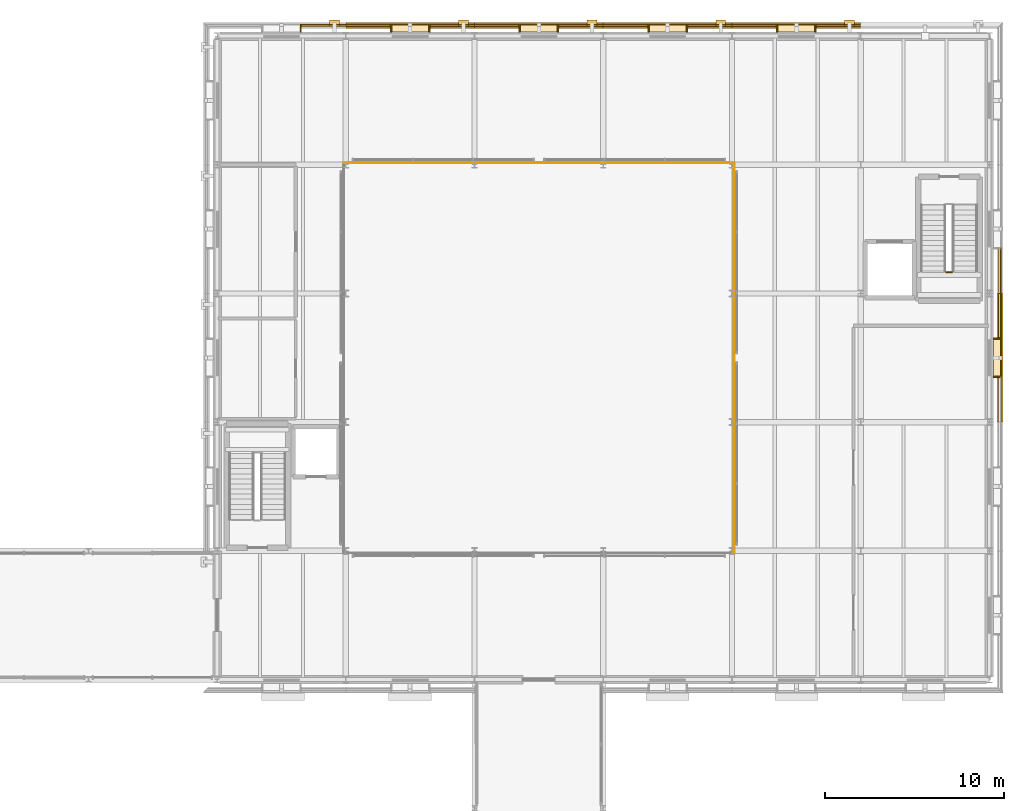
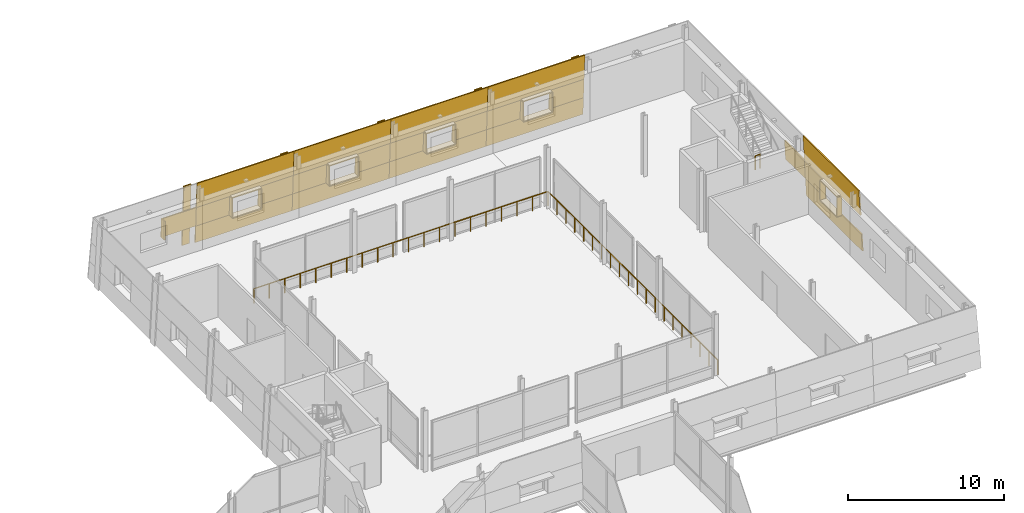
# One storey, part 120 of 121: 47 coverings, 3 railings.
"""IFC4 building model written with IfcOpenShell, lengths in metres."""

from ifc_helpers import new_model, si_unit, direction, frame, origin, origin_2d, place, context, subcontext, project, spatial, polyline, circle, outline, extrude, material, layer, layer_set, type_object, element, save


model = new_model("IFC4")

# Units and contexts
model_context = context("Model", 3, precision=1e-05, world=origin(), true_north=direction((0.0, 1.0)))
body_context = subcontext(model_context, "Body", "Model", "MODEL_VIEW")
ifc_project = project(units=[si_unit("LENGTHUNIT", "METRE"), si_unit("AREAUNIT", "SQUARE_METRE"), si_unit("VOLUMEUNIT", "CUBIC_METRE"), si_unit("PLANEANGLEUNIT", "RADIAN"), si_unit("MASSUNIT", "GRAM", prefix="KILO")], contexts=[model_context])

# Site, building, storey
site_placement = place(None, origin())
site = spatial("IfcSite", under=ifc_project, at=site_placement, CompositionType="ELEMENT")
building_placement = place(site_placement, origin())
building = spatial("IfcBuilding", under=site, at=building_placement, Name="Narikvali Park Central Library", CompositionType="ELEMENT")
storey_placement = place(building_placement, frame((0.0, 0.0, 5.39990234375)))
storey = spatial("IfcBuildingStorey", under=building, at=storey_placement, Name="L01", CompositionType="ELEMENT", Elevation=5.39990234375)

# Railings
ifc_material_1 = material(Name="Laminated Tempered Glass and Stainless Steel", Category="steel")
ifc_layer_1 = layer(ifc_material_1, 0.06005859375, Name="Laminated Tempered Glass and Stainless Steel")
ifc_layer_set_1 = layer_set([ifc_layer_1], Name="Laminated Tempered Glass and Stainless Steel")
railing_type_1 = type_object("IfcRailingType", Name="Atrium Void Tempered Glass Guardrail 1150", PredefinedType="GUARDRAIL", material=ifc_layer_set_1)
railing_1_placement = place(storey_placement, frame((151.320068359375, 86.280029296875, 0.0)))
element("IfcRailing", 1, at=railing_1_placement, inside=storey, type_object=railing_type_1, Name="V3 L01 Void Edge Guardrail E", PredefinedType="GUARDRAIL", context=body_context, shape_type="SweptSolid", body=[
    extrude(circle(Radius=0.02392578125, at=origin_2d()), frame((0.0, 0.0, 1.1259765625), z_axis=(0.0, 1.0, 0.0), x_axis=(-1.0, 0.0, 0.0)), (0.0, 0.0, 1.0), 21.840087890625),
    extrude(circle(Radius=0.02099609375, at=origin_2d()), origin(), (0.0, 0.0, 1.0), 1.101806640625),
    extrude(circle(Radius=0.02099609375, at=origin_2d()), frame((0.0, 1.1494140625, 0.0)), (0.0, 0.0, 1.0), 1.101806640625),
    extrude(circle(Radius=0.02099609375, at=origin_2d()), frame((0.0, 2.299072265625, 0.0)), (0.0, 0.0, 1.0), 1.101806640625),
    extrude(circle(Radius=0.02099609375, at=origin_2d()), frame((0.0, 3.448486328125, 0.0)), (0.0, 0.0, 1.0), 1.101806640625),
    extrude(circle(Radius=0.02099609375, at=origin_2d()), frame((0.0, 4.597900390625, 0.0)), (0.0, 0.0, 1.0), 1.101806640625),
    extrude(circle(Radius=0.02099609375, at=origin_2d()), frame((0.0, 5.747314453125, 0.0)), (0.0, 0.0, 1.0), 1.101806640625),
    extrude(circle(Radius=0.02099609375, at=origin_2d()), frame((0.0, 6.89697265625, 0.0)), (0.0, 0.0, 1.0), 1.101806640625),
    extrude(circle(Radius=0.02099609375, at=origin_2d()), frame((0.0, 8.04638671875, 0.0)), (0.0, 0.0, 1.0), 1.101806640625),
    extrude(circle(Radius=0.02099609375, at=origin_2d()), frame((0.0, 9.19580078125, 0.0)), (0.0, 0.0, 1.0), 1.101806640625),
    extrude(circle(Radius=0.02099609375, at=origin_2d()), frame((0.0, 10.34521484375, 0.0)), (0.0, 0.0, 1.0), 1.101806640625),
    extrude(circle(Radius=0.02099609375, at=origin_2d()), frame((0.0, 11.494873046875, 0.0)), (0.0, 0.0, 1.0), 1.101806640625),
    extrude(circle(Radius=0.02099609375, at=origin_2d()), frame((0.0, 12.644287109375, 0.0)), (0.0, 0.0, 1.0), 1.101806640625),
    extrude(circle(Radius=0.02099609375, at=origin_2d()), frame((0.0, 13.793701171875, 0.0)), (0.0, 0.0, 1.0), 1.101806640625),
    extrude(circle(Radius=0.02099609375, at=origin_2d()), frame((0.0, 14.943115234375, 0.0)), (0.0, 0.0, 1.0), 1.101806640625),
    extrude(circle(Radius=0.02099609375, at=origin_2d()), frame((0.0, 16.0927734375, 0.0)), (0.0, 0.0, 1.0), 1.101806640625),
    extrude(circle(Radius=0.02099609375, at=origin_2d()), frame((0.0, 17.2421875, 0.0)), (0.0, 0.0, 1.0), 1.101806640625),
    extrude(circle(Radius=0.02099609375, at=origin_2d()), frame((0.0, 18.3916015625, 0.0)), (0.0, 0.0, 1.0), 1.101806640625),
    extrude(circle(Radius=0.02099609375, at=origin_2d()), frame((0.0, 19.541015625, 0.0)), (0.0, 0.0, 1.0), 1.101806640625),
    extrude(circle(Radius=0.02099609375, at=origin_2d()), frame((0.0, 20.690673828125, 0.0)), (0.0, 0.0, 1.0), 1.101806640625),
    extrude(circle(Radius=0.02099609375, at=origin_2d()), frame((0.0, 21.840087890625, 0.0)), (0.0, 0.0, 1.0), 1.101806640625),
])
railing_2_placement = place(storey_placement, frame((151.320068359375, 108.1201171875, 0.0)))
element("IfcRailing", 2, at=railing_2_placement, inside=storey, type_object=railing_type_1, Name="V3 L01 Void Edge Guardrail N", PredefinedType="GUARDRAIL", context=body_context, shape_type="SweptSolid", body=[
    extrude(circle(Radius=0.02392578125, at=origin_2d()), frame((0.0, 0.0, 1.1259765625), z_axis=(-1.0, 0.0, 0.0), x_axis=(0.0, -1.0, 0.0)), (0.0, 0.0, 1.0), 21.840087890625),
    extrude(circle(Radius=0.02099609375, at=origin_2d()), origin(), (0.0, 0.0, 1.0), 1.101806640625),
    extrude(circle(Radius=0.02099609375, at=origin_2d()), frame((-1.1494140625, 0.0, 0.0)), (0.0, 0.0, 1.0), 1.101806640625),
    extrude(circle(Radius=0.02099609375, at=origin_2d()), frame((-2.299072265625, 0.0, 0.0)), (0.0, 0.0, 1.0), 1.101806640625),
    extrude(circle(Radius=0.02099609375, at=origin_2d()), frame((-3.448486328125, 0.0, 0.0)), (0.0, 0.0, 1.0), 1.101806640625),
    extrude(circle(Radius=0.02099609375, at=origin_2d()), frame((-4.597900390625, 0.0, 0.0)), (0.0, 0.0, 1.0), 1.101806640625),
    extrude(circle(Radius=0.02099609375, at=origin_2d()), frame((-5.747314453125, 0.0, 0.0)), (0.0, 0.0, 1.0), 1.101806640625),
    extrude(circle(Radius=0.02099609375, at=origin_2d()), frame((-6.89697265625, 0.0, 0.0)), (0.0, 0.0, 1.0), 1.101806640625),
    extrude(circle(Radius=0.02099609375, at=origin_2d()), frame((-8.04638671875, 0.0, 0.0)), (0.0, 0.0, 1.0), 1.101806640625),
    extrude(circle(Radius=0.02099609375, at=origin_2d()), frame((-9.19580078125, 0.0, 0.0)), (0.0, 0.0, 1.0), 1.101806640625),
    extrude(circle(Radius=0.02099609375, at=origin_2d()), frame((-10.34521484375, 0.0, 0.0)), (0.0, 0.0, 1.0), 1.101806640625),
    extrude(circle(Radius=0.02099609375, at=origin_2d()), frame((-11.494873046875, 0.0, 0.0)), (0.0, 0.0, 1.0), 1.101806640625),
    extrude(circle(Radius=0.02099609375, at=origin_2d()), frame((-12.644287109375, 0.0, 0.0)), (0.0, 0.0, 1.0), 1.101806640625),
    extrude(circle(Radius=0.02099609375, at=origin_2d()), frame((-13.793701171875, 0.0, 0.0)), (0.0, 0.0, 1.0), 1.101806640625),
    extrude(circle(Radius=0.02099609375, at=origin_2d()), frame((-14.943115234375, 0.0, 0.0)), (0.0, 0.0, 1.0), 1.101806640625),
    extrude(circle(Radius=0.02099609375, at=origin_2d()), frame((-16.0927734375, 0.0, 0.0)), (0.0, 0.0, 1.0), 1.101806640625),
    extrude(circle(Radius=0.02099609375, at=origin_2d()), frame((-17.2421875, 0.0, 0.0)), (0.0, 0.0, 1.0), 1.101806640625),
    extrude(circle(Radius=0.02099609375, at=origin_2d()), frame((-18.3916015625, 0.0, 0.0)), (0.0, 0.0, 1.0), 1.101806640625),
    extrude(circle(Radius=0.02099609375, at=origin_2d()), frame((-19.541015625, 0.0, 0.0)), (0.0, 0.0, 1.0), 1.101806640625),
    extrude(circle(Radius=0.02099609375, at=origin_2d()), frame((-20.690673828125, 0.0, 0.0)), (0.0, 0.0, 1.0), 1.101806640625),
    extrude(circle(Radius=0.02099609375, at=origin_2d()), frame((-21.840087890625, 0.0, 0.0)), (0.0, 0.0, 1.0), 1.101806640625),
])

# Coverings
ifc_material_2 = material(Name="White Honed Limestone Cladding", Category="masonry")
ifc_layer_2 = layer(ifc_material_2, 0.0849609375, Name="White Honed Limestone Cladding")
ifc_layer_set_2 = layer_set([ifc_layer_2], Name="White Honed Limestone Cladding")
covering_type_1 = type_object("IfcCoveringType", Name="Battered White Limestone Facade Cladding Panel", PredefinedType="CLADDING", material=ifc_layer_set_2)
covering_1_placement = place(storey_placement, frame((166.358642578125, 93.60009765625, 0.0), z_axis=(0.998637216249, 0.0, 0.052189178209), x_axis=(0.0, 1.0, 0.0)))
element("IfcCovering", 3, at=covering_1_placement, inside=storey, type_object=covering_type_1, Name="V3 L01 E Battered Limestone Spandrel B03", PredefinedType="CLADDING", context=body_context, shape_type="SweptSolid", body=[
    extrude(outline(polyline([(0.0, 0.0), (7.199951171875, 0.0), (7.199951171875, 1.3519400581934202), (0.0, 1.3519400581934202), (0.0, 0.0)])), origin(), (0.0, 0.0, -1.0), 0.0849609375),
])
covering_2_placement = place(storey_placement, frame((166.2099609375, 93.60009765625, 2.85009765625), z_axis=(0.998646348793, 0.0, 0.052014133104), x_axis=(0.0, 1.0, 0.0)))
element("IfcCovering", 4, at=covering_2_placement, inside=storey, type_object=covering_type_1, Name="V3 L01 E Battered Limestone Lintel B03", PredefinedType="CLADDING", context=body_context, shape_type="SweptSolid", body=[
    extrude(outline(polyline([(0.0, 0.0), (7.199951171875, 0.0), (7.199951171875, 1.9525943035108282), (0.0, 1.9525943035108282), (0.0, 0.0)])), origin(), (0.0, 0.0, -1.0), 0.0849609375),
])
for number, where, z_axis, x_axis, name in (
    (5, (166.2880859375, 98.239990234375, 1.35009765625), (0.998646416446, 0.0, 0.05201283419), (0.0, 1.0, 0.0), "V3 L01 E Battered Limestone Jamb Pier R B03"),
    (6, (166.2880859375, 100.800048828125, 1.35009765625), (0.998646416446, 0.0, 0.05201283419), (0.0, 1.0, 0.0), "V3 L01 E Battered Limestone Jamb Pier L B04"),
):
    element("IfcCovering", number, at=place(storey_placement, frame(where, z_axis=z_axis, x_axis=x_axis)), inside=storey, type_object=covering_type_1, Name=name, PredefinedType="CLADDING", context=body_context, shape_type="SweptSolid", body=[
        extrude(outline(polyline([(0.0, 0.0), (2.56005859375, 0.0), (2.56005859375, 1.5020331273394072), (0.0, 1.5020331273394072), (0.0, 0.0)])), origin(), (0.0, 0.0, -1.0), 0.0849609375),
    ])
covering_3_placement = place(storey_placement, frame((158.050048828125, 116.0986328125, 0.0), z_axis=(0.0, 0.998643804351, 0.052062962182), x_axis=(-1.0, 0.0, 0.0)))
element("IfcCovering", 7, at=covering_3_placement, inside=storey, type_object=covering_type_1, Name="V3 L01 N Classical Limestone Pilaster B02", PredefinedType="CLADDING", context=body_context, shape_type="SweptSolid", body=[
    extrude(outline(polyline([(0.0, 0.0), (0.550048828125, 0.0), (0.550048828125, 4.80656747401941), (0.0, 4.80656747401941), (0.0, 0.0)])), origin(), (0.0, 0.0, -1.0), 0.0849609375),
])
covering_4_placement = place(storey_placement, frame((158.39990234375, 115.95849609375, 0.0), z_axis=(0.0, 0.998646611858, 0.052009082137), x_axis=(-1.0, 0.0, 0.0)))
element("IfcCovering", 8, at=covering_4_placement, inside=storey, type_object=covering_type_1, Name="V3 L01 N Battered Limestone Spandrel B02", PredefinedType="CLADDING", context=body_context, shape_type="SweptSolid", body=[
    extrude(outline(polyline([(0.0, 0.0), (7.199951171875, 0.0), (7.199951171875, 1.3519273386791144), (0.0, 1.3519273386791144), (0.0, 0.0)])), origin(), (0.0, 0.0, -1.0), 0.0849609375),
])
covering_5_placement = place(storey_placement, frame((158.39990234375, 115.81005859375, 2.85009765625), z_axis=(0.0, 0.998646348793, 0.052014133104), x_axis=(-1.0, 0.0, 0.0)))
element("IfcCovering", 9, at=covering_5_placement, inside=storey, type_object=covering_type_1, Name="V3 L01 N Battered Limestone Lintel B02", PredefinedType="CLADDING", context=body_context, shape_type="SweptSolid", body=[
    extrude(outline(polyline([(0.0, 0.0), (7.199951171875, 0.0), (7.199951171875, 1.9525943035108282), (0.0, 1.9525943035108282), (0.0, 0.0)])), origin(), (0.0, 0.0, -1.0), 0.0849609375),
])
covering_6_placement = place(storey_placement, frame((158.39990234375, 115.88818359375, 1.35009765625), z_axis=(0.0, 0.998646416446, 0.05201283419), x_axis=(-1.0, 0.0, 0.0)))
element("IfcCovering", 10, at=covering_6_placement, inside=storey, type_object=covering_type_1, Name="V3 L01 N Battered Limestone Jamb Pier L B02", PredefinedType="CLADDING", context=body_context, shape_type="SweptSolid", body=[
    extrude(outline(polyline([(0.0, 0.0), (2.559814453125, 0.0), (2.559814453125, 1.5020331273394074), (0.0, 1.5020331273394074), (0.0, 0.0)])), origin(), (0.0, 0.0, -1.0), 0.0849609375),
])
covering_7_placement = place(storey_placement, frame((153.760009765625, 115.88818359375, 1.35009765625), z_axis=(0.0, 0.998646416446, 0.05201283419), x_axis=(-1.0, 0.0, 0.0)))
element("IfcCovering", 11, at=covering_7_placement, inside=storey, type_object=covering_type_1, Name="V3 L01 N Battered Limestone Jamb Pier R B02", PredefinedType="CLADDING", context=body_context, shape_type="SweptSolid", body=[
    extrude(outline(polyline([(0.0, 0.0), (2.56005859375, 0.0), (2.56005859375, 1.5020331273394072), (0.0, 1.5020331273394072), (0.0, 0.0)])), origin(), (0.0, 0.0, -1.0), 0.0849609375),
])
covering_8_placement = place(storey_placement, frame((150.85009765625, 116.0986328125, 0.0), z_axis=(0.0, 0.998643804351, 0.052062962182), x_axis=(-1.0, 0.0, 0.0)))
element("IfcCovering", 12, at=covering_8_placement, inside=storey, type_object=covering_type_1, Name="V3 L01 N Classical Limestone Pilaster B03", PredefinedType="CLADDING", context=body_context, shape_type="SweptSolid", body=[
    extrude(outline(polyline([(0.0, 0.0), (0.550048828125, 0.0), (0.550048828125, 4.80656747401941), (0.0, 4.80656747401941), (0.0, 0.0)])), origin(), (0.0, 0.0, -1.0), 0.0849609375),
])
covering_9_placement = place(storey_placement, frame((151.199951171875, 115.95849609375, 0.0), z_axis=(0.0, 0.998646611858, 0.052009082137), x_axis=(-1.0, 0.0, 0.0)))
element("IfcCovering", 13, at=covering_9_placement, inside=storey, type_object=covering_type_1, Name="V3 L01 N Battered Limestone Spandrel B03", PredefinedType="CLADDING", context=body_context, shape_type="SweptSolid", body=[
    extrude(outline(polyline([(0.0, 0.0), (7.199951171875, 0.0), (7.199951171875, 1.3519273386791144), (0.0, 1.3519273386791144), (0.0, 0.0)])), origin(), (0.0, 0.0, -1.0), 0.0849609375),
])
covering_10_placement = place(storey_placement, frame((151.199951171875, 115.81005859375, 2.85009765625), z_axis=(0.0, 0.998646348793, 0.052014133104), x_axis=(-1.0, 0.0, 0.0)))
element("IfcCovering", 14, at=covering_10_placement, inside=storey, type_object=covering_type_1, Name="V3 L01 N Battered Limestone Lintel B03", PredefinedType="CLADDING", context=body_context, shape_type="SweptSolid", body=[
    extrude(outline(polyline([(0.0, 0.0), (7.199951171875, 0.0), (7.199951171875, 1.9525943035108282), (0.0, 1.9525943035108282), (0.0, 0.0)])), origin(), (0.0, 0.0, -1.0), 0.0849609375),
])
for number, where, z_axis, x_axis, name in (
    (15, (151.199951171875, 115.88818359375, 1.35009765625), (0.0, 0.998646416446, 0.05201283419), (-1.0, 0.0, 0.0), "V3 L01 N Battered Limestone Jamb Pier L B03"),
    (16, (146.56005859375, 115.88818359375, 1.35009765625), (0.0, 0.998646416446, 0.05201283419), (-1.0, 0.0, 0.0), "V3 L01 N Battered Limestone Jamb Pier R B03"),
):
    element("IfcCovering", number, at=place(storey_placement, frame(where, z_axis=z_axis, x_axis=x_axis)), inside=storey, type_object=covering_type_1, Name=name, PredefinedType="CLADDING", context=body_context, shape_type="SweptSolid", body=[
        extrude(outline(polyline([(0.0, 0.0), (2.56005859375, 0.0), (2.56005859375, 1.5020331273394072), (0.0, 1.5020331273394072), (0.0, 0.0)])), origin(), (0.0, 0.0, -1.0), 0.0849609375),
    ])
covering_11_placement = place(storey_placement, frame((143.64990234375, 116.0986328125, 0.0), z_axis=(0.0, 0.998643804351, 0.052062962182), x_axis=(-1.0, 0.0, 0.0)))
element("IfcCovering", 17, at=covering_11_placement, inside=storey, type_object=covering_type_1, Name="V3 L01 N Classical Limestone Pilaster B04", PredefinedType="CLADDING", context=body_context, shape_type="SweptSolid", body=[
    extrude(outline(polyline([(0.0, 0.0), (0.5498046875, 0.0), (0.5498046875, 4.806567474019411), (0.0, 4.806567474019411), (0.0, 0.0)])), origin(), (0.0, 0.0, -1.0), 0.0849609375),
])
covering_12_placement = place(storey_placement, frame((144.0, 115.95849609375, 0.0), z_axis=(0.0, 0.998646611858, 0.052009082137), x_axis=(-1.0, 0.0, 0.0)))
element("IfcCovering", 18, at=covering_12_placement, inside=storey, type_object=covering_type_1, Name="V3 L01 N Battered Limestone Spandrel B04", PredefinedType="CLADDING", context=body_context, shape_type="SweptSolid", body=[
    extrude(outline(polyline([(0.0, 0.0), (7.199951171875, 0.0), (7.199951171875, 1.3519273386791144), (0.0, 1.3519273386791144), (0.0, 0.0)])), origin(), (0.0, 0.0, -1.0), 0.0849609375),
])
covering_13_placement = place(storey_placement, frame((144.0, 115.81005859375, 2.85009765625), z_axis=(0.0, 0.998646348793, 0.052014133104), x_axis=(-1.0, 0.0, 0.0)))
element("IfcCovering", 19, at=covering_13_placement, inside=storey, type_object=covering_type_1, Name="V3 L01 N Battered Limestone Lintel B04", PredefinedType="CLADDING", context=body_context, shape_type="SweptSolid", body=[
    extrude(outline(polyline([(0.0, 0.0), (7.199951171875, 0.0), (7.199951171875, 1.9525943035108282), (0.0, 1.9525943035108282), (0.0, 0.0)])), origin(), (0.0, 0.0, -1.0), 0.0849609375),
])
for number, where, z_axis, x_axis, name in (
    (20, (144.0, 115.88818359375, 1.35009765625), (0.0, 0.998646416446, 0.05201283419), (-1.0, 0.0, 0.0), "V3 L01 N Battered Limestone Jamb Pier L B04"),
    (21, (139.360107421875, 115.88818359375, 1.35009765625), (0.0, 0.998646416446, 0.05201283419), (-1.0, 0.0, 0.0), "V3 L01 N Battered Limestone Jamb Pier R B04"),
):
    element("IfcCovering", number, at=place(storey_placement, frame(where, z_axis=z_axis, x_axis=x_axis)), inside=storey, type_object=covering_type_1, Name=name, PredefinedType="CLADDING", context=body_context, shape_type="SweptSolid", body=[
        extrude(outline(polyline([(0.0, 0.0), (2.56005859375, 0.0), (2.56005859375, 1.5020331273394072), (0.0, 1.5020331273394072), (0.0, 0.0)])), origin(), (0.0, 0.0, -1.0), 0.0849609375),
    ])
covering_14_placement = place(storey_placement, frame((136.449951171875, 116.0986328125, 0.0), z_axis=(0.0, 0.998643804351, 0.052062962182), x_axis=(-1.0, 0.0, 0.0)))
element("IfcCovering", 22, at=covering_14_placement, inside=storey, type_object=covering_type_1, Name="V3 L01 N Classical Limestone Pilaster B05", PredefinedType="CLADDING", context=body_context, shape_type="SweptSolid", body=[
    extrude(outline(polyline([(0.0, 0.0), (0.550048828125, 0.0), (0.550048828125, 4.80656747401941), (0.0, 4.80656747401941), (0.0, 0.0)])), origin(), (0.0, 0.0, -1.0), 0.0849609375),
])
covering_15_placement = place(storey_placement, frame((136.800048828125, 115.95849609375, 0.0), z_axis=(0.0, 0.998646611858, 0.052009082137), x_axis=(-1.0, 0.0, 0.0)))
element("IfcCovering", 23, at=covering_15_placement, inside=storey, type_object=covering_type_1, Name="V3 L01 N Battered Limestone Spandrel B05", PredefinedType="CLADDING", context=body_context, shape_type="SweptSolid", body=[
    extrude(outline(polyline([(0.0, 0.0), (7.199951171875, 0.0), (7.199951171875, 1.3519273386791144), (0.0, 1.3519273386791144), (0.0, 0.0)])), origin(), (0.0, 0.0, -1.0), 0.0849609375),
])
covering_16_placement = place(storey_placement, frame((136.800048828125, 115.81005859375, 2.85009765625), z_axis=(0.0, 0.998646348793, 0.052014133104), x_axis=(-1.0, 0.0, 0.0)))
element("IfcCovering", 24, at=covering_16_placement, inside=storey, type_object=covering_type_1, Name="V3 L01 N Battered Limestone Lintel B05", PredefinedType="CLADDING", context=body_context, shape_type="SweptSolid", body=[
    extrude(outline(polyline([(0.0, 0.0), (7.199951171875, 0.0), (7.199951171875, 1.9525943035108282), (0.0, 1.9525943035108282), (0.0, 0.0)])), origin(), (0.0, 0.0, -1.0), 0.0849609375),
])
covering_17_placement = place(storey_placement, frame((136.800048828125, 115.88818359375, 1.35009765625), z_axis=(0.0, 0.998646416446, 0.05201283419), x_axis=(-1.0, 0.0, 0.0)))
element("IfcCovering", 25, at=covering_17_placement, inside=storey, type_object=covering_type_1, Name="V3 L01 N Battered Limestone Jamb Pier L B05", PredefinedType="CLADDING", context=body_context, shape_type="SweptSolid", body=[
    extrude(outline(polyline([(0.0, 0.0), (2.56005859375, 0.0), (2.56005859375, 1.5020331273394072), (0.0, 1.5020331273394072), (0.0, 0.0)])), origin(), (0.0, 0.0, -1.0), 0.0849609375),
])
covering_18_placement = place(storey_placement, frame((132.159912109375, 115.88818359375, 1.35009765625), z_axis=(0.0, 0.998646416446, 0.05201283419), x_axis=(-1.0, 0.0, 0.0)))
element("IfcCovering", 26, at=covering_18_placement, inside=storey, type_object=covering_type_1, Name="V3 L01 N Battered Limestone Jamb Pier R B05", PredefinedType="CLADDING", context=body_context, shape_type="SweptSolid", body=[
    extrude(outline(polyline([(0.0, 0.0), (2.559814453125, 0.0), (2.559814453125, 1.5020331273394074), (0.0, 1.5020331273394074), (0.0, 0.0)])), origin(), (0.0, 0.0, -1.0), 0.0849609375),
])
covering_19_placement = place(storey_placement, frame((129.25, 116.0986328125, 0.0), z_axis=(0.0, 0.998643804351, 0.052062962182), x_axis=(-1.0, 0.0, 0.0)))
element("IfcCovering", 27, at=covering_19_placement, inside=storey, type_object=covering_type_1, Name="V3 L01 N Classical Limestone Pilaster B06", PredefinedType="CLADDING", context=body_context, shape_type="SweptSolid", body=[
    extrude(outline(polyline([(0.0, 0.0), (0.550048828125, 0.0), (0.550048828125, 4.80656747401941), (0.0, 4.80656747401941), (0.0, 0.0)])), origin(), (0.0, 0.0, -1.0), 0.0849609375),
])
covering_20_placement = place(storey_placement, frame((129.60009765625, 115.88818359375, 1.35009765625), z_axis=(0.0, 0.998646416446, 0.05201283419), x_axis=(-1.0, 0.0, 0.0)))
element("IfcCovering", 28, at=covering_20_placement, inside=storey, type_object=covering_type_1, Name="V3 L01 N Battered Limestone Jamb Pier L B06", PredefinedType="CLADDING", context=body_context, shape_type="SweptSolid", body=[
    extrude(outline(polyline([(0.0, 0.0), (2.56005859375, 0.0), (2.56005859375, 1.5020331273394072), (0.0, 1.5020331273394072), (0.0, 0.0)])), origin(), (0.0, 0.0, -1.0), 0.0849609375),
])
ifc_layer_3 = layer(ifc_material_2, 0.080078125, Name="White Honed Limestone Cladding")
ifc_layer_set_3 = layer_set([ifc_layer_3], Name="White Honed Limestone Cladding")
covering_type_2 = type_object("IfcCoveringType", Name="Deep Carved White Limestone Window Reveal", PredefinedType="CLADDING", material=ifc_layer_set_3)
covering_21_placement = place(storey_placement, frame((0.0, 0.0, 2.85009765625)))
element("IfcCovering", 29, at=covering_21_placement, inside=storey, type_object=covering_type_2, Name="Deep Stone Reveal Head V3-RVL-L01-E-B03", PredefinedType="CLADDING", context=body_context, shape_type="SweptSolid", body=[
    extrude(outline(polyline([(165.824951171875, 96.1201171875), (165.824951171875, 98.280029296875), (166.2099609375, 98.280029296875), (166.2099609375, 96.1201171875), (165.824951171875, 96.1201171875)])), origin(), (0.0, 0.0, 1.0), 0.080078125),
])
covering_22_placement = place(storey_placement, frame((0.0, 0.0, 1.27001953125)))
element("IfcCovering", 30, at=covering_22_placement, inside=storey, type_object=covering_type_2, Name="Deep Stone Reveal Sill V3-RVL-L01-E-B03", PredefinedType="CLADDING", context=body_context, shape_type="SweptSolid", body=[
    extrude(outline(polyline([(165.824951171875, 96.1201171875), (165.824951171875, 98.280029296875), (166.2880859375, 98.280029296875), (166.2880859375, 96.1201171875), (165.824951171875, 96.1201171875)])), origin(), (0.0, 0.0, 1.0), 0.080078125),
])
covering_23_placement = place(storey_placement, frame((0.0, 0.0, 1.35009765625)))
element("IfcCovering", 31, at=covering_23_placement, inside=storey, type_object=covering_type_2, Name="Deep Stone Reveal Jamb L V3-RVL-L01-E-B03", PredefinedType="CLADDING", context=body_context, shape_type="SweptSolid", body=[
    extrude(outline(polyline([(165.824951171875, 96.080078125), (165.824951171875, 96.159912109375), (166.2099609375, 96.159912109375), (166.2099609375, 96.080078125), (165.824951171875, 96.080078125)])), origin(), (0.0, 0.0, 1.0), 1.5),
])
covering_24_placement = place(storey_placement, frame((0.0, 0.0, 1.35009765625)))
element("IfcCovering", 32, at=covering_24_placement, inside=storey, type_object=covering_type_2, Name="Deep Stone Reveal Jamb R V3-RVL-L01-E-B03", PredefinedType="CLADDING", context=body_context, shape_type="SweptSolid", body=[
    extrude(outline(polyline([(165.824951171875, 98.239990234375), (165.824951171875, 98.320068359375), (166.2099609375, 98.320068359375), (166.2099609375, 98.239990234375), (165.824951171875, 98.239990234375)])), origin(), (0.0, 0.0, 1.0), 1.5),
])
covering_25_placement = place(storey_placement, frame((0.0, 0.0, 2.85009765625)))
element("IfcCovering", 33, at=covering_25_placement, inside=storey, type_object=covering_type_2, Name="Deep Stone Reveal Head V3-RVL-L01-N-B02", PredefinedType="CLADDING", context=body_context, shape_type="SweptSolid", body=[
    extrude(outline(polyline([(155.8798828125, 115.425048828125), (153.719970703125, 115.425048828125), (153.719970703125, 115.81005859375), (155.8798828125, 115.81005859375), (155.8798828125, 115.425048828125)])), origin(), (0.0, 0.0, 1.0), 0.080078125),
])
covering_26_placement = place(storey_placement, frame((0.0, 0.0, 1.27001953125)))
element("IfcCovering", 34, at=covering_26_placement, inside=storey, type_object=covering_type_2, Name="Deep Stone Reveal Sill V3-RVL-L01-N-B02", PredefinedType="CLADDING", context=body_context, shape_type="SweptSolid", body=[
    extrude(outline(polyline([(155.8798828125, 115.425048828125), (153.719970703125, 115.425048828125), (153.719970703125, 115.88818359375), (155.8798828125, 115.88818359375), (155.8798828125, 115.425048828125)])), origin(), (0.0, 0.0, 1.0), 0.080078125),
])
covering_27_placement = place(storey_placement, frame((0.0, 0.0, 1.35009765625)))
element("IfcCovering", 35, at=covering_27_placement, inside=storey, type_object=covering_type_2, Name="Deep Stone Reveal Jamb L V3-RVL-L01-N-B02", PredefinedType="CLADDING", context=body_context, shape_type="SweptSolid", body=[
    extrude(outline(polyline([(155.919921875, 115.425048828125), (155.840087890625, 115.425048828125), (155.840087890625, 115.81005859375), (155.919921875, 115.81005859375), (155.919921875, 115.425048828125)])), origin(), (0.0, 0.0, 1.0), 1.5),
])
covering_28_placement = place(storey_placement, frame((0.0, 0.0, 1.35009765625)))
element("IfcCovering", 36, at=covering_28_placement, inside=storey, type_object=covering_type_2, Name="Deep Stone Reveal Jamb R V3-RVL-L01-N-B02", PredefinedType="CLADDING", context=body_context, shape_type="SweptSolid", body=[
    extrude(outline(polyline([(153.760009765625, 115.425048828125), (153.679931640625, 115.425048828125), (153.679931640625, 115.81005859375), (153.760009765625, 115.81005859375), (153.760009765625, 115.425048828125)])), origin(), (0.0, 0.0, 1.0), 1.5),
])
covering_29_placement = place(storey_placement, frame((0.0, 0.0, 2.85009765625)))
element("IfcCovering", 37, at=covering_29_placement, inside=storey, type_object=covering_type_2, Name="Deep Stone Reveal Head V3-RVL-L01-N-B03", PredefinedType="CLADDING", context=body_context, shape_type="SweptSolid", body=[
    extrude(outline(polyline([(148.679931640625, 115.425048828125), (146.52001953125, 115.425048828125), (146.52001953125, 115.81005859375), (148.679931640625, 115.81005859375), (148.679931640625, 115.425048828125)])), origin(), (0.0, 0.0, 1.0), 0.080078125),
])
covering_30_placement = place(storey_placement, frame((0.0, 0.0, 1.27001953125)))
element("IfcCovering", 38, at=covering_30_placement, inside=storey, type_object=covering_type_2, Name="Deep Stone Reveal Sill V3-RVL-L01-N-B03", PredefinedType="CLADDING", context=body_context, shape_type="SweptSolid", body=[
    extrude(outline(polyline([(148.679931640625, 115.425048828125), (146.52001953125, 115.425048828125), (146.52001953125, 115.88818359375), (148.679931640625, 115.88818359375), (148.679931640625, 115.425048828125)])), origin(), (0.0, 0.0, 1.0), 0.080078125),
])
covering_31_placement = place(storey_placement, frame((0.0, 0.0, 1.35009765625)))
element("IfcCovering", 39, at=covering_31_placement, inside=storey, type_object=covering_type_2, Name="Deep Stone Reveal Jamb L V3-RVL-L01-N-B03", PredefinedType="CLADDING", context=body_context, shape_type="SweptSolid", body=[
    extrude(outline(polyline([(148.719970703125, 115.425048828125), (148.639892578125, 115.425048828125), (148.639892578125, 115.81005859375), (148.719970703125, 115.81005859375), (148.719970703125, 115.425048828125)])), origin(), (0.0, 0.0, 1.0), 1.5),
])
covering_32_placement = place(storey_placement, frame((0.0, 0.0, 1.35009765625)))
element("IfcCovering", 40, at=covering_32_placement, inside=storey, type_object=covering_type_2, Name="Deep Stone Reveal Jamb R V3-RVL-L01-N-B03", PredefinedType="CLADDING", context=body_context, shape_type="SweptSolid", body=[
    extrude(outline(polyline([(146.56005859375, 115.425048828125), (146.47998046875, 115.425048828125), (146.47998046875, 115.81005859375), (146.56005859375, 115.81005859375), (146.56005859375, 115.425048828125)])), origin(), (0.0, 0.0, 1.0), 1.5),
])
covering_33_placement = place(storey_placement, frame((0.0, 0.0, 2.85009765625)))
element("IfcCovering", 41, at=covering_33_placement, inside=storey, type_object=covering_type_2, Name="Deep Stone Reveal Head V3-RVL-L01-N-B04", PredefinedType="CLADDING", context=body_context, shape_type="SweptSolid", body=[
    extrude(outline(polyline([(141.47998046875, 115.425048828125), (139.320068359375, 115.425048828125), (139.320068359375, 115.81005859375), (141.47998046875, 115.81005859375), (141.47998046875, 115.425048828125)])), origin(), (0.0, 0.0, 1.0), 0.080078125),
])
covering_34_placement = place(storey_placement, frame((0.0, 0.0, 1.27001953125)))
element("IfcCovering", 42, at=covering_34_placement, inside=storey, type_object=covering_type_2, Name="Deep Stone Reveal Sill V3-RVL-L01-N-B04", PredefinedType="CLADDING", context=body_context, shape_type="SweptSolid", body=[
    extrude(outline(polyline([(141.47998046875, 115.425048828125), (139.320068359375, 115.425048828125), (139.320068359375, 115.88818359375), (141.47998046875, 115.88818359375), (141.47998046875, 115.425048828125)])), origin(), (0.0, 0.0, 1.0), 0.080078125),
])
covering_35_placement = place(storey_placement, frame((0.0, 0.0, 1.35009765625)))
element("IfcCovering", 43, at=covering_35_placement, inside=storey, type_object=covering_type_2, Name="Deep Stone Reveal Jamb L V3-RVL-L01-N-B04", PredefinedType="CLADDING", context=body_context, shape_type="SweptSolid", body=[
    extrude(outline(polyline([(141.52001953125, 115.425048828125), (141.43994140625, 115.425048828125), (141.43994140625, 115.81005859375), (141.52001953125, 115.81005859375), (141.52001953125, 115.425048828125)])), origin(), (0.0, 0.0, 1.0), 1.5),
])
covering_36_placement = place(storey_placement, frame((0.0, 0.0, 1.35009765625)))
element("IfcCovering", 44, at=covering_36_placement, inside=storey, type_object=covering_type_2, Name="Deep Stone Reveal Jamb R V3-RVL-L01-N-B04", PredefinedType="CLADDING", context=body_context, shape_type="SweptSolid", body=[
    extrude(outline(polyline([(139.360107421875, 115.425048828125), (139.280029296875, 115.425048828125), (139.280029296875, 115.81005859375), (139.360107421875, 115.81005859375), (139.360107421875, 115.425048828125)])), origin(), (0.0, 0.0, 1.0), 1.5),
])
covering_37_placement = place(storey_placement, frame((0.0, 0.0, 2.85009765625)))
element("IfcCovering", 45, at=covering_37_placement, inside=storey, type_object=covering_type_2, Name="Deep Stone Reveal Head V3-RVL-L01-N-B05", PredefinedType="CLADDING", context=body_context, shape_type="SweptSolid", body=[
    extrude(outline(polyline([(134.280029296875, 115.425048828125), (132.1201171875, 115.425048828125), (132.1201171875, 115.81005859375), (134.280029296875, 115.81005859375), (134.280029296875, 115.425048828125)])), origin(), (0.0, 0.0, 1.0), 0.080078125),
])
covering_38_placement = place(storey_placement, frame((0.0, 0.0, 1.27001953125)))
element("IfcCovering", 46, at=covering_38_placement, inside=storey, type_object=covering_type_2, Name="Deep Stone Reveal Sill V3-RVL-L01-N-B05", PredefinedType="CLADDING", context=body_context, shape_type="SweptSolid", body=[
    extrude(outline(polyline([(134.280029296875, 115.425048828125), (132.1201171875, 115.425048828125), (132.1201171875, 115.88818359375), (134.280029296875, 115.88818359375), (134.280029296875, 115.425048828125)])), origin(), (0.0, 0.0, 1.0), 0.080078125),
])
covering_39_placement = place(storey_placement, frame((0.0, 0.0, 1.35009765625)))
element("IfcCovering", 47, at=covering_39_placement, inside=storey, type_object=covering_type_2, Name="Deep Stone Reveal Jamb L V3-RVL-L01-N-B05", PredefinedType="CLADDING", context=body_context, shape_type="SweptSolid", body=[
    extrude(outline(polyline([(134.320068359375, 115.425048828125), (134.239990234375, 115.425048828125), (134.239990234375, 115.81005859375), (134.320068359375, 115.81005859375), (134.320068359375, 115.425048828125)])), origin(), (0.0, 0.0, 1.0), 1.5),
])
covering_40_placement = place(storey_placement, frame((0.0, 0.0, 1.35009765625)))
element("IfcCovering", 48, at=covering_40_placement, inside=storey, type_object=covering_type_2, Name="Deep Stone Reveal Jamb R V3-RVL-L01-N-B05", PredefinedType="CLADDING", context=body_context, shape_type="SweptSolid", body=[
    extrude(outline(polyline([(132.159912109375, 115.425048828125), (132.080078125, 115.425048828125), (132.080078125, 115.81005859375), (132.159912109375, 115.81005859375), (132.159912109375, 115.425048828125)])), origin(), (0.0, 0.0, 1.0), 1.5),
])
covering_41_placement = place(storey_placement, frame((0.0, 0.0, 1.35009765625)))
element("IfcCovering", 49, at=covering_41_placement, inside=storey, type_object=covering_type_2, Name="Deep Stone Reveal Jamb L V3-RVL-L01-N-B06", PredefinedType="CLADDING", context=body_context, shape_type="SweptSolid", body=[
    extrude(outline(polyline([(127.1201171875, 115.425048828125), (127.0400390625, 115.425048828125), (127.0400390625, 115.81005859375), (127.1201171875, 115.81005859375), (127.1201171875, 115.425048828125)])), origin(), (0.0, 0.0, 1.0), 1.5),
])

# Railing
ifc_material_3 = material(Name="Powder-Coated Steel S275", Category="steel")
ifc_layer_4 = layer(ifc_material_3, 0.050048828125, Name="Powder-Coated Steel S275")
ifc_layer_set_4 = layer_set([ifc_layer_4], Name="Powder-Coated Steel S275")
railing_type_2 = type_object("IfcRailingType", Name="Stair Well Steel Guardrail 1100", PredefinedType="GUARDRAIL", material=ifc_layer_set_4)
railing_3_placement = place(storey_placement, frame((163.169921875, 101.9951171875, 2.400146484375)))
element("IfcRailing", 50, at=railing_3_placement, inside=storey, type_object=railing_type_2, Name="L01 ST-06 stair guard 2", PredefinedType="GUARDRAIL", context=body_context, shape_type="SweptSolid", body=[
    extrude(circle(Radius=0.02392578125, at=origin_2d()), frame((0.0, 0.0, 1.076171875), z_axis=(1.0, 0.0, 0.0), x_axis=(0.0, 1.0, 0.0)), (0.0, 0.0, 1.0), 0.360107421875),
    extrude(circle(Radius=0.02099609375, at=origin_2d()), origin(), (0.0, 0.0, 1.0), 1.052001953125),
    extrude(circle(Radius=0.02099609375, at=origin_2d()), frame((0.360107421875, 0.0, 0.0)), (0.0, 0.0, 1.0), 1.052001953125),
])

save(model, "model.ifc")
